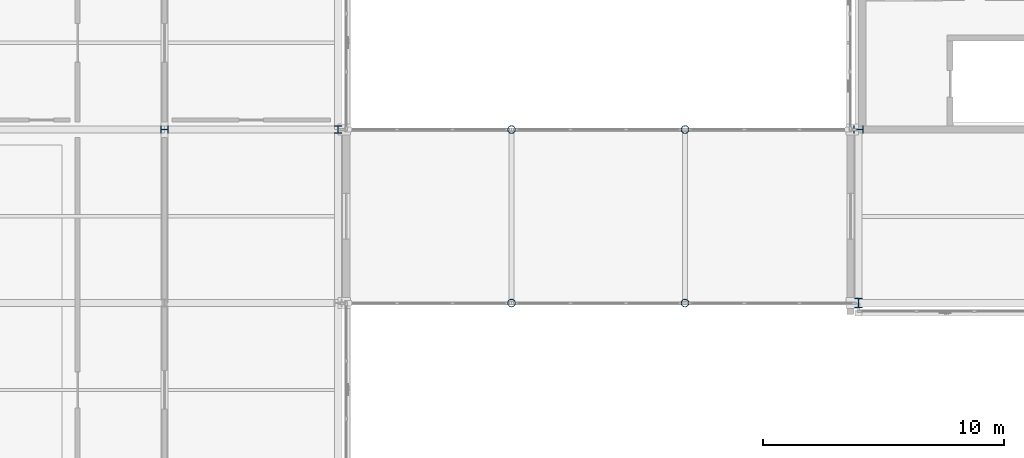
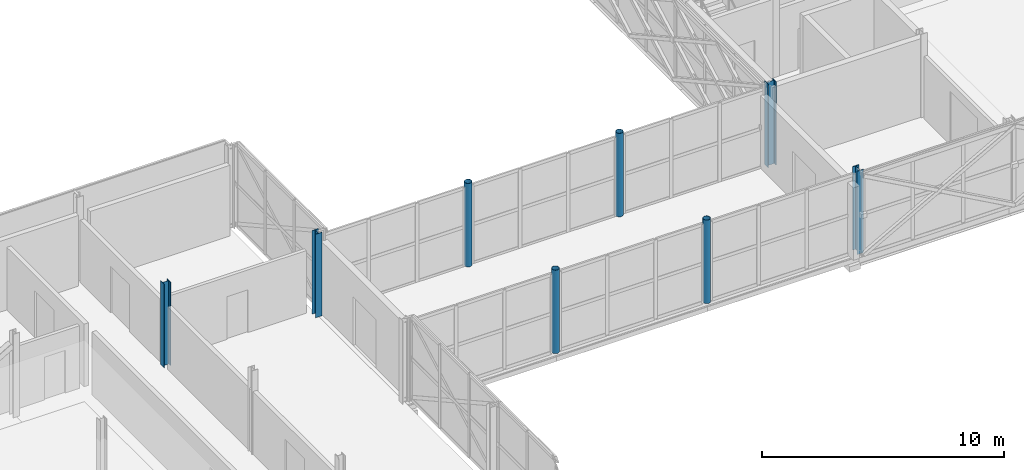
# One storey, part 9 of 126: 8 columns.
"""IFC4 building model written with IfcOpenShell, lengths in metres."""

import ifcopenshell
import ifcopenshell.guid

model = None  # the IFC model being written
_history = None  # IfcOwnerHistory: only IFC2X3 demands one
_inside = {}  # id of a spatial element -> (the spatial element, [elements in it])
_under = {}  # id of a project, library or spatial element -> (it, [spatial elements below it])
_declared = {}  # id of a project -> (the project, [libraries it declares])
_typed = {}  # id of a type object -> (the type object, [elements of that type])
_made_of = {}  # id of a material, layer set ... -> (it, [elements and type objects made of it])


def new_model(schema):
    """Start an empty IFC model of exactly this schema.

    Asked for "IFC4X3", IfcOpenShell would pick the latest addendum, in which some entities
    have other attributes; the version numbers below select the first issue.
    IFC2X3 requires an IfcOwnerHistory on every rooted entity: one is made here for all.
    """
    global model, _history
    if schema == "IFC4X3":
        model = ifcopenshell.file(schema_version=(4, 3, 0, 0))
    else:
        model = ifcopenshell.file(schema=schema)
    _inside.clear()
    _under.clear()
    _declared.clear()
    _typed.clear()
    _made_of.clear()
    _history = None
    if model.schema == "IFC2X3":
        org = make("IfcOrganization", Name="unknown")
        user = make(
            "IfcPersonAndOrganization",
            ThePerson=make("IfcPerson", FamilyName="unknown"),
            TheOrganization=org,
        )
        app = make(
            "IfcApplication",
            ApplicationDeveloper=org,
            Version="unknown",
            ApplicationFullName="unknown",
            ApplicationIdentifier="unknown",
        )
        _history = make(
            "IfcOwnerHistory",
            OwningUser=user,
            OwningApplication=app,
            ChangeAction="ADDED",
            CreationDate=0,
        )
    return model


def make(cls, **values):
    """One entity of the class cls with the attributes given. An attribute that is None is left unset."""
    return model.create_entity(
        cls, **{name: value for name, value in values.items() if value is not None}
    )


def rooted(cls, **values):
    """An entity with a GlobalId (a new one), such as an element, a storey or a relation."""
    return make(cls, GlobalId=ifcopenshell.guid.new(), OwnerHistory=_history, **values)


def si_unit(unit_type, name, prefix=None):
    """IfcSIUnit, for example si_unit("LENGTHUNIT", "METRE", prefix="MILLI")."""
    return make("IfcSIUnit", UnitType=unit_type, Prefix=prefix, Name=name)


def assignment(units):
    """IfcUnitAssignment: the units of a project."""
    return None if units is None else make("IfcUnitAssignment", Units=units)


def point(xyz):
    """IfcCartesianPoint."""
    return None if xyz is None else make("IfcCartesianPoint", Coordinates=xyz)


def direction(xyz):
    """IfcDirection."""
    return None if xyz is None else make("IfcDirection", DirectionRatios=xyz)


def frame(location, z_axis=None, x_axis=None):
    """IfcAxis2Placement3D, a coordinate frame: its origin and axes. An axis left out is left unset."""
    return make(
        "IfcAxis2Placement3D",
        Location=point(location),
        Axis=direction(z_axis),
        RefDirection=direction(x_axis),
    )


def frame_2d(location, x_axis=None):
    """IfcAxis2Placement2D, a coordinate frame in the plane: its origin and x axis."""
    return make(
        "IfcAxis2Placement2D", Location=point(location), RefDirection=direction(x_axis)
    )


def origin():
    """The frame at (0, 0, 0) with its axes left unset."""
    return frame((0.0, 0.0, 0.0))


def origin_2d():
    """The frame at (0, 0) in the plane with its x axis left unset."""
    return frame_2d((0.0, 0.0))


def place(relative_to, where):
    """IfcLocalPlacement: puts the frame where relative to a parent placement (None: the world)."""
    return make(
        "IfcLocalPlacement", PlacementRelTo=relative_to, RelativePlacement=where
    )


def context(
    kind, dimensions, precision=None, world=None, true_north=None, identifier=None
):
    """IfcGeometricRepresentationContext, for example the 3D "Model" context."""
    return make(
        "IfcGeometricRepresentationContext",
        ContextIdentifier=identifier,
        ContextType=kind,
        CoordinateSpaceDimension=dimensions,
        Precision=precision,
        WorldCoordinateSystem=world,
        TrueNorth=true_north,
    )


def subcontext(parent, identifier, kind, view, scale=None):
    """IfcGeometricRepresentationSubContext, for example "Body" below "Model"."""
    return make(
        "IfcGeometricRepresentationSubContext",
        ContextIdentifier=identifier,
        ContextType=kind,
        ParentContext=parent,
        TargetScale=scale,
        TargetView=view,
    )


def project(units=None, contexts=None):
    """IfcProject with its units and contexts."""
    return rooted(
        "IfcProject",
        Name="project",
        RepresentationContexts=contexts,
        UnitsInContext=assignment(units),
    )


def spatial(cls, under=None, at=None, **own):
    """A site, building, storey or space (cls), placed at a placement, below another one or the project."""
    s = rooted(cls, ObjectPlacement=at, **own)
    if under is not None:
        _under.setdefault(under.id(), (under, []))[1].append(s)
    return s


def profile(cls, at=None, kind="AREA", **sizes):
    """A parametric profile (cls). Its sizes go by their IFC names, for example OverallWidth=200.0."""
    return make(cls, ProfileType=kind, Position=at, **sizes)


def hollow_circle(**sizes):
    """IfcCircleHollowProfileDef."""
    return profile("IfcCircleHollowProfileDef", **sizes)


def i_section(**sizes):
    """IfcIShapeProfileDef."""
    return profile("IfcIShapeProfileDef", **sizes)


def extrude(swept, where, along, depth):
    """IfcExtrudedAreaSolid: the profile swept, set in the frame where, extruded along a direction by depth."""
    return make(
        "IfcExtrudedAreaSolid",
        SweptArea=swept,
        Position=where,
        ExtrudedDirection=direction(along),
        Depth=depth,
    )


def shape(context_of_items, identifier, shape_type, items):
    """IfcShapeRepresentation: the items that make up one representation, for example the "Body"."""
    return make(
        "IfcShapeRepresentation",
        ContextOfItems=context_of_items,
        RepresentationIdentifier=identifier,
        RepresentationType=shape_type,
        Items=items,
    )


def material(Name=None, Category=None):
    """IfcMaterial."""
    return make("IfcMaterial", Name=Name, Category=Category)


def material_profile(
    of_material, cross_section, Name=None, Category=None, Priority=None
):
    """IfcMaterialProfile: a cross section and its material."""
    return make(
        "IfcMaterialProfile",
        Name=Name,
        Material=of_material,
        Profile=cross_section,
        Priority=Priority,
        Category=Category,
    )


def profile_set(profiles, Name=None, composite=None):
    """IfcMaterialProfileSet."""
    return make(
        "IfcMaterialProfileSet",
        Name=Name,
        MaterialProfiles=profiles,
        CompositeProfile=composite,
    )


def made_of(thing, what):
    """Note that an element or type object is made of a material, layer set ...; save() writes the relation."""
    if what is not None:
        _made_of.setdefault(what.id(), (what, []))[1].append(thing)
    return thing


def type_object(cls, material=None, **own):
    """A type object (cls), such as IfcWallType, which elements share."""
    return made_of(rooted(cls, **own), material)


def element(
    cls,
    number,
    at=None,
    inside=None,
    cuts=None,
    type_object=None,
    material=None,
    context=None,
    identifier="Body",
    shape_type=None,
    held_by="IfcProductDefinitionShape",
    body=None,
    shapes=None,
    **own,
):
    """One element of the class cls, such as IfcWall. Its Tag is "e" and its number.

    at: its placement. inside: the storey or other place that contains it. cuts: it is an
    opening in that element (IfcRelVoidsElement). A single representation is given by context,
    identifier, shape_type and body (its items); several are given by shapes. held_by: the class
    of the entity that holds the representations. save() writes the other relations.
    """
    e = rooted(cls, Tag="e%d" % number, ObjectPlacement=at, **own)
    if body is not None:
        shapes = [shape(context, identifier, shape_type, body)]
    if shapes is not None:
        e.Representation = make(held_by, Representations=shapes)
    if inside is not None:
        _inside.setdefault(inside.id(), (inside, []))[1].append(e)
    if cuts is not None:
        rooted(
            "IfcRelVoidsElement", RelatingBuildingElement=cuts, RelatedOpeningElement=e
        )
    if type_object is not None:
        _typed.setdefault(type_object.id(), (type_object, []))[1].append(e)
    return made_of(e, material)


def aggregate(whole, parts):
    """IfcRelAggregates: a whole, such as a stair, and the parts it consists of."""
    return rooted("IfcRelAggregates", RelatingObject=whole, RelatedObjects=parts)


def save(model, path):
    """Write the relations noted so far, then the file.

    IfcRelAggregates (storeys below a building ...), IfcRelContainedInSpatialStructure (elements
    in a storey), IfcRelDefinesByType, IfcRelAssociatesMaterial and IfcRelDeclares: one each for
    every whole, place, type object, material and project.
    """
    for whole, parts in _under.values():
        aggregate(whole, parts)
    for where, things in _inside.values():
        rooted(
            "IfcRelContainedInSpatialStructure",
            RelatedElements=things,
            RelatingStructure=where,
        )
    for kind, things in _typed.values():
        rooted("IfcRelDefinesByType", RelatedObjects=things, RelatingType=kind)
    for what, things in _made_of.values():
        rooted("IfcRelAssociatesMaterial", RelatedObjects=things, RelatingMaterial=what)
    for by, libraries in _declared.values():
        rooted("IfcRelDeclares", RelatingContext=by, RelatedDefinitions=libraries)
    model.write(path)


model = new_model("IFC4")

# Units and contexts
model_context = context("Model", 3, precision=1e-05, world=origin(), true_north=direction((0.0, 1.0)))
body_context = subcontext(model_context, "Body", "Model", "MODEL_VIEW")
ifc_project = project(units=[si_unit("LENGTHUNIT", "METRE"), si_unit("AREAUNIT", "SQUARE_METRE"), si_unit("VOLUMEUNIT", "CUBIC_METRE"), si_unit("PLANEANGLEUNIT", "RADIAN"), si_unit("MASSUNIT", "GRAM", prefix="KILO")], contexts=[model_context])

# Site, building, storey
site_placement = place(None, origin())
site = spatial("IfcSite", under=ifc_project, at=site_placement, CompositionType="ELEMENT")
building_placement = place(site_placement, origin())
building = spatial("IfcBuilding", under=site, at=building_placement, Name="Zlatovets Crest Museum", CompositionType="ELEMENT")
storey_placement = place(building_placement, frame((0.0, 0.0, 8.699951171875)))
storey = spatial("IfcBuildingStorey", under=building, at=storey_placement, Name="L02", CompositionType="ELEMENT", Elevation=8.699951171875)

# Columns
ifc_material = material(Name="Structural steel S355J2", Category="steel")
ifc_material_profile_1 = material_profile(ifc_material, i_section(OverallWidth=0.300048828125, OverallDepth=0.39990234375, WebThickness=0.013427734375, FlangeThickness=0.02392578125, FilletRadius=0.027099609375, at=origin_2d()), Name="HEB 400")
ifc_profile_set_1 = profile_set([ifc_material_profile_1], Name="Structural steel S355J2")
column_type_1 = type_object("IfcColumnType", Name="Col_C-07", PredefinedType="COLUMN", material=ifc_profile_set_1)
for number, where, z_axis, x_axis, name in (
    (1, (57.60009765625, 86.39990234375, 0.0), (0.0, 0.0, 1.0), (1.0, 0.0, 0.0), "V1 L02 Column (57.6, 86.4)"),
    (2, (57.60009765625, 93.60009765625, 0.0), (0.0, 0.0, 1.0), (0.0, 1.0, 0.0), "V1 L02 Column (57.6, 93.6)"),
):
    element("IfcColumn", number, at=place(storey_placement, frame(where, z_axis=z_axis, x_axis=x_axis)), inside=storey, type_object=column_type_1, Name=name, PredefinedType="COLUMN", context=body_context, shape_type="SweptSolid", body=[
        extrude(i_section(OverallWidth=0.300048828125, OverallDepth=0.39990234375, WebThickness=0.013427734375, FlangeThickness=0.02392578125, FilletRadius=0.027099609375, at=origin_2d()), origin(), (0.0, 0.0, 1.0), 4.199951171875),
    ])
ifc_material_profile_2 = material_profile(ifc_material, hollow_circle(Radius=0.161865234375, WallThickness=0.012451171875, at=origin_2d()), Name="CHS 323.9x12.5")
ifc_profile_set_2 = profile_set([ifc_material_profile_2], Name="Structural steel S355J2")
column_type_2 = type_object("IfcColumnType", Name="Col_C-13", PredefinedType="COLUMN", material=ifc_profile_set_2)
for number, where, z_axis, x_axis, name in (
    (3, (43.199951171875, 86.39990234375, 0.0), (0.0, 0.0, 1.0), (1.0, 0.0, 0.0), "Northwest Crest Glazed Link Bridge Portal Column"),
    (4, (43.199951171875, 93.60009765625, 0.0), (0.0, 0.0, 1.0), (1.0, 0.0, 0.0), "Northwest Crest Glazed Link Bridge Portal Column"),
    (5, (50.39990234375, 86.39990234375, 0.0), (0.0, 0.0, 1.0), (1.0, 0.0, 0.0), "Northwest Crest Glazed Link Bridge Portal Column"),
    (6, (50.39990234375, 93.60009765625, 0.0), (0.0, 0.0, 1.0), (1.0, 0.0, 0.0), "Northwest Crest Glazed Link Bridge Portal Column"),
):
    element("IfcColumn", number, at=place(storey_placement, frame(where, z_axis=z_axis, x_axis=x_axis)), inside=storey, type_object=column_type_2, Name=name, PredefinedType="COLUMN", context=body_context, shape_type="SweptSolid", body=[
        extrude(hollow_circle(Radius=0.161865234375, WallThickness=0.012451171875, at=origin_2d()), origin(), (0.0, 0.0, 1.0), 4.199951171875),
    ])
ifc_material_profile_3 = material_profile(ifc_material, i_section(OverallWidth=0.300048828125, OverallDepth=0.320068359375, WebThickness=0.011474609375, FlangeThickness=0.0205078125, FilletRadius=0.027099609375, at=origin_2d()), Name="HEB 320")
ifc_profile_set_3 = profile_set([ifc_material_profile_3], Name="Structural steel S355J2")
column_type_3 = type_object("IfcColumnType", Name="Col_C-16", PredefinedType="COLUMN", material=ifc_profile_set_3)
for number, where, z_axis, x_axis, name in (
    (7, (28.800048828125, 93.60009765625, 0.0), (0.0, 0.0, 1.0), (0.0, 1.0, 0.0), "V4 L02 Column (28.8, 93.6)"),
    (8, (36.0, 93.60009765625, 0.0), (0.0, 0.0, 1.0), (1.0, 0.0, 0.0), "V4 L02 Column (36.0, 93.6)"),
):
    element("IfcColumn", number, at=place(storey_placement, frame(where, z_axis=z_axis, x_axis=x_axis)), inside=storey, type_object=column_type_3, Name=name, PredefinedType="COLUMN", context=body_context, shape_type="SweptSolid", body=[
        extrude(i_section(OverallWidth=0.300048828125, OverallDepth=0.320068359375, WebThickness=0.011474609375, FlangeThickness=0.0205078125, FilletRadius=0.027099609375, at=origin_2d()), origin(), (0.0, 0.0, 1.0), 4.199951171875),
    ])

save(model, "model.ifc")
